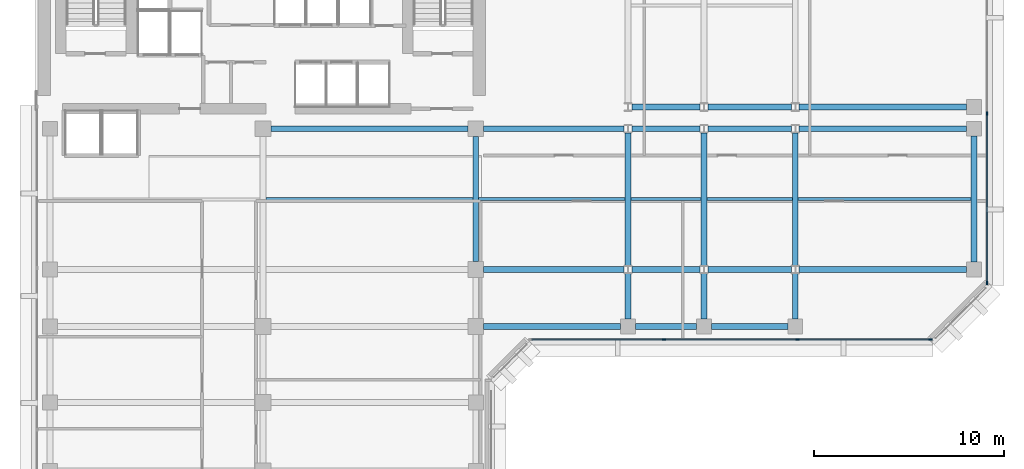
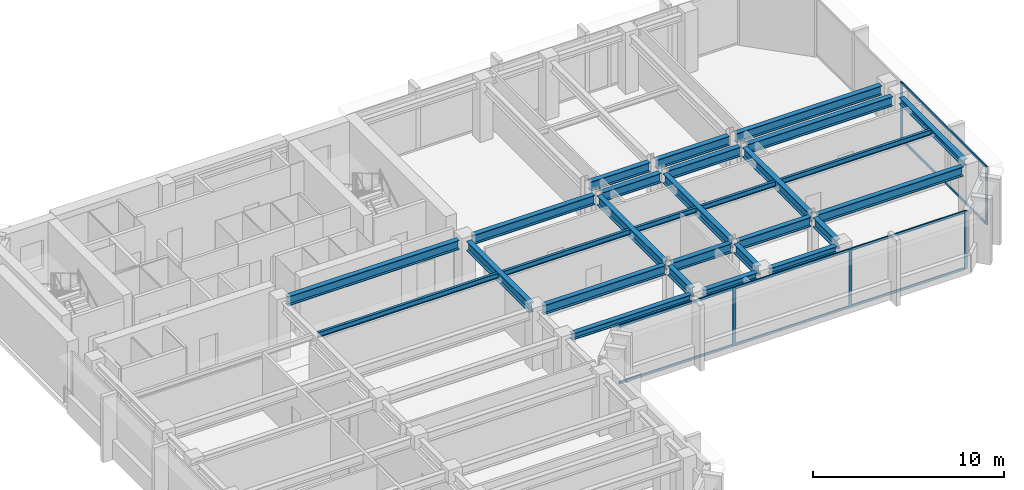
# One storey, part 3 of 12: 28 beams, 13 members, 2 elements without a shape of their own.
"""IFC4 building model written with IfcOpenShell, lengths in metres."""

from ifc_helpers import new_model, si_unit, direction, frame, origin, origin_2d, place, context, subcontext, project, spatial, rectangle, i_section, extrude, material, layer, layer_set, material_profile, profile_set, type_object, element, aggregate, save


model = new_model("IFC4")

# Units and contexts
model_context = context("Model", 3, precision=1e-05, world=origin(), true_north=direction((0.0, 1.0)))
body_context = subcontext(model_context, "Body", "Model", "MODEL_VIEW")
ifc_project = project(units=[si_unit("LENGTHUNIT", "METRE"), si_unit("AREAUNIT", "SQUARE_METRE"), si_unit("VOLUMEUNIT", "CUBIC_METRE"), si_unit("PLANEANGLEUNIT", "RADIAN"), si_unit("MASSUNIT", "GRAM", prefix="KILO")], contexts=[model_context])

# Site, building, storey
site_placement = place(None, origin())
site = spatial("IfcSite", under=ifc_project, at=site_placement, CompositionType="ELEMENT")
building_placement = place(site_placement, origin())
building = spatial("IfcBuilding", under=site, at=building_placement, Name="Kefirva Bronze Tower", CompositionType="ELEMENT")
storey_placement = place(building_placement, frame((0.0, 0.0, 207.239990234375)))
storey = spatial("IfcBuildingStorey", under=building, at=storey_placement, Name="L50", CompositionType="ELEMENT", Elevation=207.239990234375)

# Curtain wall, members
ifc_material_1 = material(Name="Bronze anodised aluminium", Category="aluminium")
ifc_layer = layer(ifc_material_1, 0.179931640625, Name="Bronze anodised aluminium")
ifc_layer_set = layer_set([ifc_layer], Name="Bronze anodised aluminium")
curtain_wall_type = type_object("IfcCurtainWallType", Name="Unitised Bronze Ribbon Curtain Wall Zone 3", PredefinedType="USERDEFINED", material=ifc_layer_set)
curtain_wall_1_placement = place(storey_placement, origin())
curtain_wall_1 = element("IfcCurtainWall", 1, at=curtain_wall_1_placement, inside=storey, type_object=curtain_wall_type, Name="L50 Curtain Wall 2", ObjectType="UNITISED CURTAIN WALL", PredefinedType="USERDEFINED")
ifc_material_profile_1 = material_profile(ifc_material_1, rectangle(XDim=0.074951171875, YDim=0.179931640625, at=origin_2d()), Name="ALU 75x180")
ifc_profile_set_1 = profile_set([ifc_material_profile_1], Name="Bronze anodised aluminium")
member_type_1 = type_object("IfcMemberType", Name="Bronze Mullion 75x180", PredefinedType="MULLION", material=ifc_profile_set_1)
member_1_placement = place(storey_placement, frame((33.0849609375, 22.1201171875, 0.0), z_axis=(0.0, 0.0, 1.0), x_axis=(0.0, 1.0, 0.0)))
member_1 = element("IfcMember", 2, at=member_1_placement, type_object=member_type_1, Name="CW-03 mullion 2", PredefinedType="MULLION", context=body_context, shape_type="SweptSolid", body=[
    extrude(rectangle(XDim=0.074951171875, YDim=0.179931640625, at=origin_2d()), origin(), (0.0, 0.0, 1.0), 3.7099609375),
])
member_2_placement = place(storey_placement, frame((40.114990234375, 22.1201171875, 0.0), z_axis=(0.0, 0.0, 1.0), x_axis=(0.0, 1.0, 0.0)))
member_2 = element("IfcMember", 3, at=member_2_placement, type_object=member_type_1, Name="CW-03 mullion 3", PredefinedType="MULLION", context=body_context, shape_type="SweptSolid", body=[
    extrude(rectangle(XDim=0.074951171875, YDim=0.179931640625, at=origin_2d()), origin(), (0.0, 0.0, 1.0), 3.7099609375),
])
member_3_placement = place(storey_placement, frame((47.107421875, 22.1201171875, 0.0), z_axis=(0.0, 0.0, 1.0), x_axis=(0.0, 1.0, 0.0)))
member_3 = element("IfcMember", 4, at=member_3_placement, type_object=member_type_1, Name="CW-03 mullion 4", PredefinedType="MULLION", context=body_context, shape_type="SweptSolid", body=[
    extrude(rectangle(XDim=0.074951171875, YDim=0.179931640625, at=origin_2d()), origin(), (0.0, 0.0, 1.0), 3.7099609375),
])

curtain_wall_2_placement = place(storey_placement, origin())
curtain_wall_2 = element("IfcCurtainWall", 5, at=curtain_wall_2_placement, inside=storey, type_object=curtain_wall_type, Name="L50 Curtain Wall 3", ObjectType="UNITISED CURTAIN WALL", PredefinedType="USERDEFINED")
member_4_placement = place(storey_placement, frame((50.080078125, 25.092529296875, 0.0), z_axis=(0.0, 0.0, 1.0), x_axis=(-1.0, 0.0, 0.0)))
member_4 = element("IfcMember", 6, at=member_4_placement, type_object=member_type_1, Name="CW-03 mullion 1", PredefinedType="MULLION", context=body_context, shape_type="SweptSolid", body=[
    extrude(rectangle(XDim=0.074951171875, YDim=0.179931640625, at=origin_2d()), origin(), (0.0, 0.0, 1.0), 3.7099609375),
])
member_5_placement = place(storey_placement, frame((50.080078125, 34.0, 0.0), z_axis=(0.0, 0.0, 1.0), x_axis=(-1.0, 0.0, 0.0)))
member_5 = element("IfcMember", 7, at=member_5_placement, type_object=member_type_1, Name="CW-03 mullion 2", PredefinedType="MULLION", context=body_context, shape_type="SweptSolid", body=[
    extrude(rectangle(XDim=0.074951171875, YDim=0.179931640625, at=origin_2d()), origin(), (0.0, 0.0, 1.0), 3.7099609375),
])

# Member
ifc_material_profile_2 = material_profile(ifc_material_1, rectangle(XDim=0.074951171875, YDim=0.14990234375, at=origin_2d()), Name="ALU 75x150")
ifc_profile_set_2 = profile_set([ifc_material_profile_2], Name="Bronze anodised aluminium")
member_type_2 = type_object("IfcMemberType", Name="Bronze Transom 75x150", PredefinedType="USERDEFINED", material=ifc_profile_set_2)
member_6_placement = place(storey_placement, frame((26.1298828125, 22.1201171875, 0.03759765625), z_axis=(1.0, 0.0, 0.0), x_axis=(0.0, 1.0, 0.0)))
member_6 = element("IfcMember", 8, at=member_6_placement, type_object=member_type_2, Name="CW-03 transom 1.1", ObjectType="TRANSOM", PredefinedType="USERDEFINED", context=body_context, shape_type="SweptSolid", body=[
    extrude(rectangle(XDim=0.074951171875, YDim=0.14990234375, at=origin_2d()), origin(), (0.0, 0.0, 1.0), 6.917724609375),
])

member_7_placement = place(storey_placement, frame((26.1298828125, 22.1201171875, 3.672607421875), z_axis=(1.0, 0.0, 0.0), x_axis=(0.0, 1.0, 0.0)))
member_7 = element("IfcMember", 9, at=member_7_placement, type_object=member_type_2, Name="CW-03 transom 1.2", ObjectType="TRANSOM", PredefinedType="USERDEFINED", context=body_context, shape_type="SweptSolid", body=[
    extrude(rectangle(XDim=0.074951171875, YDim=0.14990234375, at=origin_2d()), origin(), (0.0, 0.0, 1.0), 6.917724609375),
])

member_8_placement = place(storey_placement, frame((33.12255859375, 22.1201171875, 0.03759765625), z_axis=(1.0, 0.0, 0.0), x_axis=(0.0, 1.0, 0.0)))
member_8 = element("IfcMember", 10, at=member_8_placement, type_object=member_type_2, Name="CW-03 transom 2.1", ObjectType="TRANSOM", PredefinedType="USERDEFINED", context=body_context, shape_type="SweptSolid", body=[
    extrude(rectangle(XDim=0.074951171875, YDim=0.14990234375, at=origin_2d()), origin(), (0.0, 0.0, 1.0), 6.954833984375),
])

member_9_placement = place(storey_placement, frame((33.12255859375, 22.1201171875, 3.672607421875), z_axis=(1.0, 0.0, 0.0), x_axis=(0.0, 1.0, 0.0)))
member_9 = element("IfcMember", 11, at=member_9_placement, type_object=member_type_2, Name="CW-03 transom 2.2", ObjectType="TRANSOM", PredefinedType="USERDEFINED", context=body_context, shape_type="SweptSolid", body=[
    extrude(rectangle(XDim=0.074951171875, YDim=0.14990234375, at=origin_2d()), origin(), (0.0, 0.0, 1.0), 6.954833984375),
])

member_10_placement = place(storey_placement, frame((40.152587890625, 22.1201171875, 0.03759765625), z_axis=(1.0, 0.0, 0.0), x_axis=(0.0, 1.0, 0.0)))
member_10 = element("IfcMember", 12, at=member_10_placement, type_object=member_type_2, Name="CW-03 transom 3.1", ObjectType="TRANSOM", PredefinedType="USERDEFINED", context=body_context, shape_type="SweptSolid", body=[
    extrude(rectangle(XDim=0.074951171875, YDim=0.14990234375, at=origin_2d()), origin(), (0.0, 0.0, 1.0), 6.91748046875),
])

member_11_placement = place(storey_placement, frame((40.152587890625, 22.1201171875, 3.672607421875), z_axis=(1.0, 0.0, 0.0), x_axis=(0.0, 1.0, 0.0)))
member_11 = element("IfcMember", 13, at=member_11_placement, type_object=member_type_2, Name="CW-03 transom 3.2", ObjectType="TRANSOM", PredefinedType="USERDEFINED", context=body_context, shape_type="SweptSolid", body=[
    extrude(rectangle(XDim=0.074951171875, YDim=0.14990234375, at=origin_2d()), origin(), (0.0, 0.0, 1.0), 6.91748046875),
])

aggregate(curtain_wall_1, [member_1, member_2, member_3, member_6, member_7, member_8, member_9, member_10, member_11])

member_12_placement = place(storey_placement, frame((50.080078125, 25.1298828125, 0.03759765625), z_axis=(0.0, 1.0, 0.0), x_axis=(-1.0, 0.0, 0.0)))
member_12 = element("IfcMember", 14, at=member_12_placement, type_object=member_type_2, Name="CW-03 transom 1.1", ObjectType="TRANSOM", PredefinedType="USERDEFINED", context=body_context, shape_type="SweptSolid", body=[
    extrude(rectangle(XDim=0.074951171875, YDim=0.14990234375, at=origin_2d()), origin(), (0.0, 0.0, 1.0), 8.83251953125),
])

member_13_placement = place(storey_placement, frame((50.080078125, 25.1298828125, 3.672607421875), z_axis=(0.0, 1.0, 0.0), x_axis=(-1.0, 0.0, 0.0)))
member_13 = element("IfcMember", 15, at=member_13_placement, type_object=member_type_2, Name="CW-03 transom 1.2", ObjectType="TRANSOM", PredefinedType="USERDEFINED", context=body_context, shape_type="SweptSolid", body=[
    extrude(rectangle(XDim=0.074951171875, YDim=0.14990234375, at=origin_2d()), origin(), (0.0, 0.0, 1.0), 8.83251953125),
])

aggregate(curtain_wall_2, [member_4, member_5, member_12, member_13])

# Beams
ifc_material_2 = material(Name="Steel S355", Category="steel")
ifc_material_profile_3 = material_profile(ifc_material_2, i_section(OverallWidth=0.159912109375, OverallDepth=0.330078125, WebThickness=0.007568359375, FlangeThickness=0.011474609375, at=origin_2d()), Name="IPE 330")
ifc_profile_set_3 = profile_set([ifc_material_profile_3], Name="Steel S355")
beam_type_1 = type_object("IfcBeamType", Name="Steel Floor Joist IPE 330", PredefinedType="JOIST", material=ifc_profile_set_3)
beam_1_placement = place(storey_placement, frame((12.14990234375, 29.5, 3.544921875), z_axis=(1.0, 0.0, 0.0), x_axis=(0.0, 1.0, 0.0)))
element("IfcBeam", 16, at=beam_1_placement, inside=storey, type_object=beam_type_1, Name="L50 JST-L50-12-295", PredefinedType="JOIST", context=body_context, shape_type="SweptSolid", body=[
    extrude(i_section(OverallWidth=0.159912109375, OverallDepth=0.330078125, WebThickness=0.007568359375, FlangeThickness=0.011474609375, at=origin_2d()), origin(), (0.0, 0.0, 1.0), 10.900146484375),
])
beam_2_placement = place(storey_placement, frame((23.35009765625, 29.5, 3.544921875), z_axis=(1.0, 0.0, 0.0), x_axis=(0.0, 1.0, 0.0)))
element("IfcBeam", 17, at=beam_2_placement, inside=storey, type_object=beam_type_1, Name="L50 JST-L50-23-295", PredefinedType="JOIST", context=body_context, shape_type="SweptSolid", body=[
    extrude(i_section(OverallWidth=0.159912109375, OverallDepth=0.330078125, WebThickness=0.007568359375, FlangeThickness=0.011474609375, at=origin_2d()), origin(), (0.0, 0.0, 1.0), 7.699951171875),
])
beam_3_placement = place(storey_placement, frame((31.35009765625, 29.5, 3.544921875), z_axis=(1.0, 0.0, 0.0), x_axis=(0.0, 1.0, 0.0)))
element("IfcBeam", 18, at=beam_3_placement, inside=storey, type_object=beam_type_1, Name="L50 JST-L50-31-295", PredefinedType="JOIST", context=body_context, shape_type="SweptSolid", body=[
    extrude(i_section(OverallWidth=0.159912109375, OverallDepth=0.330078125, WebThickness=0.007568359375, FlangeThickness=0.011474609375, at=origin_2d()), origin(), (0.0, 0.0, 1.0), 3.699951171875),
])
beam_4_placement = place(storey_placement, frame((35.35009765625, 29.5, 3.544921875), z_axis=(1.0, 0.0, 0.0), x_axis=(0.0, 1.0, 0.0)))
element("IfcBeam", 19, at=beam_4_placement, inside=storey, type_object=beam_type_1, Name="L50 JST-L50-35-295", PredefinedType="JOIST", context=body_context, shape_type="SweptSolid", body=[
    extrude(i_section(OverallWidth=0.159912109375, OverallDepth=0.330078125, WebThickness=0.007568359375, FlangeThickness=0.011474609375, at=origin_2d()), origin(), (0.0, 0.0, 1.0), 4.5),
])
beam_5_placement = place(storey_placement, frame((40.14990234375, 29.5, 3.544921875), z_axis=(1.0, 0.0, 0.0), x_axis=(0.0, 1.0, 0.0)))
element("IfcBeam", 20, at=beam_5_placement, inside=storey, type_object=beam_type_1, Name="L50 JST-L50-40-295", PredefinedType="JOIST", context=body_context, shape_type="SweptSolid", body=[
    extrude(i_section(OverallWidth=0.159912109375, OverallDepth=0.330078125, WebThickness=0.007568359375, FlangeThickness=0.011474609375, at=origin_2d()), origin(), (0.0, 0.0, 1.0), 9.10009765625),
])
ifc_material_profile_4 = material_profile(ifc_material_2, i_section(OverallWidth=0.300048828125, OverallDepth=0.60009765625, WebThickness=0.015380859375, FlangeThickness=0.030029296875, at=origin_2d()), Name="HEB 600")
ifc_profile_set_4 = profile_set([ifc_material_profile_4], Name="Steel S355")
beam_type_2 = type_object("IfcBeamType", Name="Steel Girder HEB 600", PredefinedType="USERDEFINED", material=ifc_profile_set_4)
beam_6_placement = place(storey_placement, frame((23.610107421875, 25.800048828125, 3.409912109375), z_axis=(1.0, 0.0, 0.0), x_axis=(0.0, 1.0, 0.0)))
element("IfcBeam", 21, at=beam_6_placement, inside=storey, type_object=beam_type_2, Name="L50 BM-L50-EW-23-258", ObjectType="GIRDER", PredefinedType="USERDEFINED", context=body_context, shape_type="SweptSolid", body=[
    extrude(i_section(OverallWidth=0.300048828125, OverallDepth=0.60009765625, WebThickness=0.015380859375, FlangeThickness=0.030029296875, at=origin_2d()), origin(), (0.0, 0.0, 1.0), 7.3837890625),
])
beam_7_placement = place(storey_placement, frame((31.406005859375, 25.800048828125, 3.409912109375), z_axis=(1.0, 0.0, 0.0), x_axis=(0.0, 1.0, 0.0)))
element("IfcBeam", 22, at=beam_7_placement, inside=storey, type_object=beam_type_2, Name="L50 BM-L50-EW-31-258", ObjectType="GIRDER", PredefinedType="USERDEFINED", context=body_context, shape_type="SweptSolid", body=[
    extrude(i_section(OverallWidth=0.300048828125, OverallDepth=0.60009765625, WebThickness=0.015380859375, FlangeThickness=0.030029296875, at=origin_2d()), origin(), (0.0, 0.0, 1.0), 3.587890625),
])
beam_8_placement = place(storey_placement, frame((35.406005859375, 25.800048828125, 3.409912109375), z_axis=(1.0, 0.0, 0.0), x_axis=(0.0, 1.0, 0.0)))
element("IfcBeam", 23, at=beam_8_placement, inside=storey, type_object=beam_type_2, Name="L50 BM-L50-EW-35-258", ObjectType="GIRDER", PredefinedType="USERDEFINED", context=body_context, shape_type="SweptSolid", body=[
    extrude(i_section(OverallWidth=0.300048828125, OverallDepth=0.60009765625, WebThickness=0.015380859375, FlangeThickness=0.030029296875, at=origin_2d()), origin(), (0.0, 0.0, 1.0), 4.387939453125),
])
beam_9_placement = place(storey_placement, frame((40.2060546875, 25.800048828125, 3.409912109375), z_axis=(1.0, 0.0, 0.0), x_axis=(0.0, 1.0, 0.0)))
element("IfcBeam", 24, at=beam_9_placement, inside=storey, type_object=beam_type_2, Name="L50 BM-L50-EW-40-258", ObjectType="GIRDER", PredefinedType="USERDEFINED", context=body_context, shape_type="SweptSolid", body=[
    extrude(i_section(OverallWidth=0.300048828125, OverallDepth=0.60009765625, WebThickness=0.015380859375, FlangeThickness=0.030029296875, at=origin_2d()), origin(), (0.0, 0.0, 1.0), 8.803955078125),
])
beam_10_placement = place(storey_placement, frame((12.409912109375, 33.199951171875, 3.409912109375), z_axis=(1.0, 0.0, 0.0), x_axis=(0.0, 1.0, 0.0)))
element("IfcBeam", 25, at=beam_10_placement, inside=storey, type_object=beam_type_2, Name="L50 BM-L50-EW-12-332", ObjectType="GIRDER", PredefinedType="USERDEFINED", context=body_context, shape_type="SweptSolid", body=[
    extrude(i_section(OverallWidth=0.300048828125, OverallDepth=0.60009765625, WebThickness=0.015380859375, FlangeThickness=0.030029296875, at=origin_2d()), origin(), (0.0, 0.0, 1.0), 10.380126953125),
])
beam_11_placement = place(storey_placement, frame((23.610107421875, 33.199951171875, 3.409912109375), z_axis=(1.0, 0.0, 0.0), x_axis=(0.0, 1.0, 0.0)))
element("IfcBeam", 26, at=beam_11_placement, inside=storey, type_object=beam_type_2, Name="L50 BM-L50-EW-23-332", ObjectType="GIRDER", PredefinedType="USERDEFINED", context=body_context, shape_type="SweptSolid", body=[
    extrude(i_section(OverallWidth=0.300048828125, OverallDepth=0.60009765625, WebThickness=0.015380859375, FlangeThickness=0.030029296875, at=origin_2d()), origin(), (0.0, 0.0, 1.0), 7.3837890625),
])
beam_12_placement = place(storey_placement, frame((31.406005859375, 33.199951171875, 3.409912109375), z_axis=(1.0, 0.0, 0.0), x_axis=(0.0, 1.0, 0.0)))
element("IfcBeam", 27, at=beam_12_placement, inside=storey, type_object=beam_type_2, Name="L50 BM-L50-EW-31-332", ObjectType="GIRDER", PredefinedType="USERDEFINED", context=body_context, shape_type="SweptSolid", body=[
    extrude(i_section(OverallWidth=0.300048828125, OverallDepth=0.60009765625, WebThickness=0.015380859375, FlangeThickness=0.030029296875, at=origin_2d()), origin(), (0.0, 0.0, 1.0), 3.587890625),
])
beam_13_placement = place(storey_placement, frame((35.406005859375, 33.199951171875, 3.409912109375), z_axis=(1.0, 0.0, 0.0), x_axis=(0.0, 1.0, 0.0)))
element("IfcBeam", 28, at=beam_13_placement, inside=storey, type_object=beam_type_2, Name="L50 BM-L50-EW-35-332", ObjectType="GIRDER", PredefinedType="USERDEFINED", context=body_context, shape_type="SweptSolid", body=[
    extrude(i_section(OverallWidth=0.300048828125, OverallDepth=0.60009765625, WebThickness=0.015380859375, FlangeThickness=0.030029296875, at=origin_2d()), origin(), (0.0, 0.0, 1.0), 4.387939453125),
])
beam_14_placement = place(storey_placement, frame((40.2060546875, 33.199951171875, 3.409912109375), z_axis=(1.0, 0.0, 0.0), x_axis=(0.0, 1.0, 0.0)))
element("IfcBeam", 29, at=beam_14_placement, inside=storey, type_object=beam_type_2, Name="L50 BM-L50-EW-40-332", ObjectType="GIRDER", PredefinedType="USERDEFINED", context=body_context, shape_type="SweptSolid", body=[
    extrude(i_section(OverallWidth=0.300048828125, OverallDepth=0.60009765625, WebThickness=0.015380859375, FlangeThickness=0.030029296875, at=origin_2d()), origin(), (0.0, 0.0, 1.0), 8.803955078125),
])
beam_15_placement = place(storey_placement, frame((31.406005859375, 34.35009765625, 3.409912109375), z_axis=(1.0, 0.0, 0.0), x_axis=(0.0, 1.0, 0.0)))
element("IfcBeam", 30, at=beam_15_placement, inside=storey, type_object=beam_type_2, Name="L50 BM-L50-EW-31-344", ObjectType="GIRDER", PredefinedType="USERDEFINED", context=body_context, shape_type="SweptSolid", body=[
    extrude(i_section(OverallWidth=0.300048828125, OverallDepth=0.60009765625, WebThickness=0.015380859375, FlangeThickness=0.030029296875, at=origin_2d()), origin(), (0.0, 0.0, 1.0), 3.587890625),
])
beam_16_placement = place(storey_placement, frame((35.406005859375, 34.35009765625, 3.409912109375), z_axis=(1.0, 0.0, 0.0), x_axis=(0.0, 1.0, 0.0)))
element("IfcBeam", 31, at=beam_16_placement, inside=storey, type_object=beam_type_2, Name="L50 BM-L50-EW-35-344", ObjectType="GIRDER", PredefinedType="USERDEFINED", context=body_context, shape_type="SweptSolid", body=[
    extrude(i_section(OverallWidth=0.300048828125, OverallDepth=0.60009765625, WebThickness=0.015380859375, FlangeThickness=0.030029296875, at=origin_2d()), origin(), (0.0, 0.0, 1.0), 4.387939453125),
])
beam_17_placement = place(storey_placement, frame((40.2060546875, 34.35009765625, 3.409912109375), z_axis=(1.0, 0.0, 0.0), x_axis=(0.0, 1.0, 0.0)))
element("IfcBeam", 32, at=beam_17_placement, inside=storey, type_object=beam_type_2, Name="L50 BM-L50-EW-40-344", ObjectType="GIRDER", PredefinedType="USERDEFINED", context=body_context, shape_type="SweptSolid", body=[
    extrude(i_section(OverallWidth=0.300048828125, OverallDepth=0.60009765625, WebThickness=0.015380859375, FlangeThickness=0.030029296875, at=origin_2d()), origin(), (0.0, 0.0, 1.0), 8.803955078125),
])
beam_18_placement = place(storey_placement, frame((23.199951171875, 26.2099609375, 3.409912109375), z_axis=(0.0, 1.0, 0.0), x_axis=(-1.0, 0.0, 0.0)))
element("IfcBeam", 33, at=beam_18_placement, inside=storey, type_object=beam_type_2, Name="L50 BM-L50-NS-232-25", ObjectType="GIRDER", PredefinedType="USERDEFINED", context=body_context, shape_type="SweptSolid", body=[
    extrude(i_section(OverallWidth=0.300048828125, OverallDepth=0.60009765625, WebThickness=0.015380859375, FlangeThickness=0.030029296875, at=origin_2d()), origin(), (0.0, 0.0, 1.0), 6.580078125),
])
beam_19_placement = place(storey_placement, frame((31.199951171875, 23.18994140625, 3.409912109375), z_axis=(0.0, 1.0, 0.0), x_axis=(-1.0, 0.0, 0.0)))
element("IfcBeam", 34, at=beam_19_placement, inside=storey, type_object=beam_type_2, Name="L50 BM-L50-NS-312-22", ObjectType="GIRDER", PredefinedType="USERDEFINED", context=body_context, shape_type="SweptSolid", body=[
    extrude(i_section(OverallWidth=0.300048828125, OverallDepth=0.60009765625, WebThickness=0.015380859375, FlangeThickness=0.030029296875, at=origin_2d()), origin(), (0.0, 0.0, 1.0), 2.392578125),
])
beam_20_placement = place(storey_placement, frame((31.199951171875, 26.017578125, 3.409912109375), z_axis=(0.0, 1.0, 0.0), x_axis=(-1.0, 0.0, 0.0)))
element("IfcBeam", 35, at=beam_20_placement, inside=storey, type_object=beam_type_2, Name="L50 BM-L50-NS-312-25", ObjectType="GIRDER", PredefinedType="USERDEFINED", context=body_context, shape_type="SweptSolid", body=[
    extrude(i_section(OverallWidth=0.300048828125, OverallDepth=0.60009765625, WebThickness=0.015380859375, FlangeThickness=0.030029296875, at=origin_2d()), origin(), (0.0, 0.0, 1.0), 6.96484375),
])
beam_21_placement = place(storey_placement, frame((35.199951171875, 23.18994140625, 3.409912109375), z_axis=(0.0, 1.0, 0.0), x_axis=(-1.0, 0.0, 0.0)))
element("IfcBeam", 36, at=beam_21_placement, inside=storey, type_object=beam_type_2, Name="L50 BM-L50-NS-352-22", ObjectType="GIRDER", PredefinedType="USERDEFINED", context=body_context, shape_type="SweptSolid", body=[
    extrude(i_section(OverallWidth=0.300048828125, OverallDepth=0.60009765625, WebThickness=0.015380859375, FlangeThickness=0.030029296875, at=origin_2d()), origin(), (0.0, 0.0, 1.0), 2.392578125),
])
beam_22_placement = place(storey_placement, frame((35.199951171875, 26.017578125, 3.409912109375), z_axis=(0.0, 1.0, 0.0), x_axis=(-1.0, 0.0, 0.0)))
element("IfcBeam", 37, at=beam_22_placement, inside=storey, type_object=beam_type_2, Name="L50 BM-L50-NS-352-25", ObjectType="GIRDER", PredefinedType="USERDEFINED", context=body_context, shape_type="SweptSolid", body=[
    extrude(i_section(OverallWidth=0.300048828125, OverallDepth=0.60009765625, WebThickness=0.015380859375, FlangeThickness=0.030029296875, at=origin_2d()), origin(), (0.0, 0.0, 1.0), 6.96484375),
])
beam_23_placement = place(storey_placement, frame((40.0, 23.18994140625, 3.409912109375), z_axis=(0.0, 1.0, 0.0), x_axis=(-1.0, 0.0, 0.0)))
element("IfcBeam", 38, at=beam_23_placement, inside=storey, type_object=beam_type_2, Name="L50 BM-L50-NS-400-22", ObjectType="GIRDER", PredefinedType="USERDEFINED", context=body_context, shape_type="SweptSolid", body=[
    extrude(i_section(OverallWidth=0.300048828125, OverallDepth=0.60009765625, WebThickness=0.015380859375, FlangeThickness=0.030029296875, at=origin_2d()), origin(), (0.0, 0.0, 1.0), 2.392578125),
])
beam_24_placement = place(storey_placement, frame((40.0, 26.017578125, 3.409912109375), z_axis=(0.0, 1.0, 0.0), x_axis=(-1.0, 0.0, 0.0)))
element("IfcBeam", 39, at=beam_24_placement, inside=storey, type_object=beam_type_2, Name="L50 BM-L50-NS-400-25", ObjectType="GIRDER", PredefinedType="USERDEFINED", context=body_context, shape_type="SweptSolid", body=[
    extrude(i_section(OverallWidth=0.300048828125, OverallDepth=0.60009765625, WebThickness=0.015380859375, FlangeThickness=0.030029296875, at=origin_2d()), origin(), (0.0, 0.0, 1.0), 6.96484375),
])
ifc_material_profile_5 = material_profile(ifc_material_2, i_section(OverallWidth=0.300048828125, OverallDepth=0.39990234375, WebThickness=0.013427734375, FlangeThickness=0.02392578125, at=origin_2d()), Name="HEB 400")
ifc_profile_set_5 = profile_set([ifc_material_profile_5], Name="Steel S355")
beam_type_3 = type_object("IfcBeamType", Name="Steel Spandrel HEB 400 Ext", PredefinedType="SPANDREL", material=ifc_profile_set_5)
beam_25_placement = place(storey_placement, frame((23.610107421875, 22.800048828125, 3.510009765625), z_axis=(1.0, 0.0, 0.0), x_axis=(0.0, 1.0, 0.0)))
element("IfcBeam", 40, at=beam_25_placement, inside=storey, type_object=beam_type_3, Name="L50 BM-L50-EW-23-228", PredefinedType="SPANDREL", context=body_context, shape_type="SweptSolid", body=[
    extrude(i_section(OverallWidth=0.300048828125, OverallDepth=0.39990234375, WebThickness=0.013427734375, FlangeThickness=0.02392578125, at=origin_2d()), origin(), (0.0, 0.0, 1.0), 7.199951171875),
])
beam_26_placement = place(storey_placement, frame((31.590087890625, 22.800048828125, 3.510009765625), z_axis=(1.0, 0.0, 0.0), x_axis=(0.0, 1.0, 0.0)))
element("IfcBeam", 41, at=beam_26_placement, inside=storey, type_object=beam_type_3, Name="L50 BM-L50-EW-31-228", PredefinedType="SPANDREL", context=body_context, shape_type="SweptSolid", body=[
    extrude(i_section(OverallWidth=0.300048828125, OverallDepth=0.39990234375, WebThickness=0.013427734375, FlangeThickness=0.02392578125, at=origin_2d()), origin(), (0.0, 0.0, 1.0), 3.219970703125),
])
beam_27_placement = place(storey_placement, frame((35.590087890625, 22.800048828125, 3.510009765625), z_axis=(1.0, 0.0, 0.0), x_axis=(0.0, 1.0, 0.0)))
element("IfcBeam", 42, at=beam_27_placement, inside=storey, type_object=beam_type_3, Name="L50 BM-L50-EW-35-228", PredefinedType="SPANDREL", context=body_context, shape_type="SweptSolid", body=[
    extrude(i_section(OverallWidth=0.300048828125, OverallDepth=0.39990234375, WebThickness=0.013427734375, FlangeThickness=0.02392578125, at=origin_2d()), origin(), (0.0, 0.0, 1.0), 4.02001953125),
])
beam_28_placement = place(storey_placement, frame((49.39990234375, 26.18994140625, 3.510009765625), z_axis=(0.0, 1.0, 0.0), x_axis=(-1.0, 0.0, 0.0)))
element("IfcBeam", 43, at=beam_28_placement, inside=storey, type_object=beam_type_3, Name="L50 BM-L50-NS-494-25", PredefinedType="SPANDREL", context=body_context, shape_type="SweptSolid", body=[
    extrude(i_section(OverallWidth=0.300048828125, OverallDepth=0.39990234375, WebThickness=0.013427734375, FlangeThickness=0.02392578125, at=origin_2d()), origin(), (0.0, 0.0, 1.0), 6.6201171875),
])

save(model, "model.ifc")
